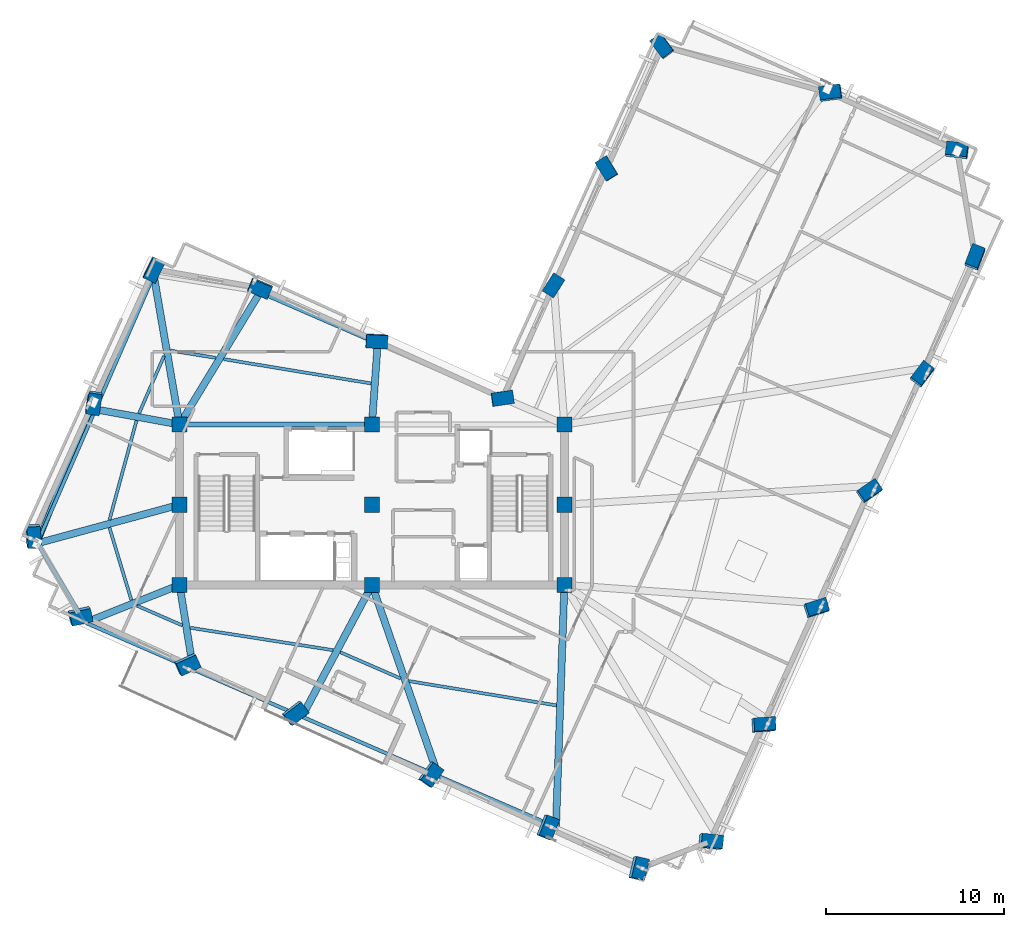
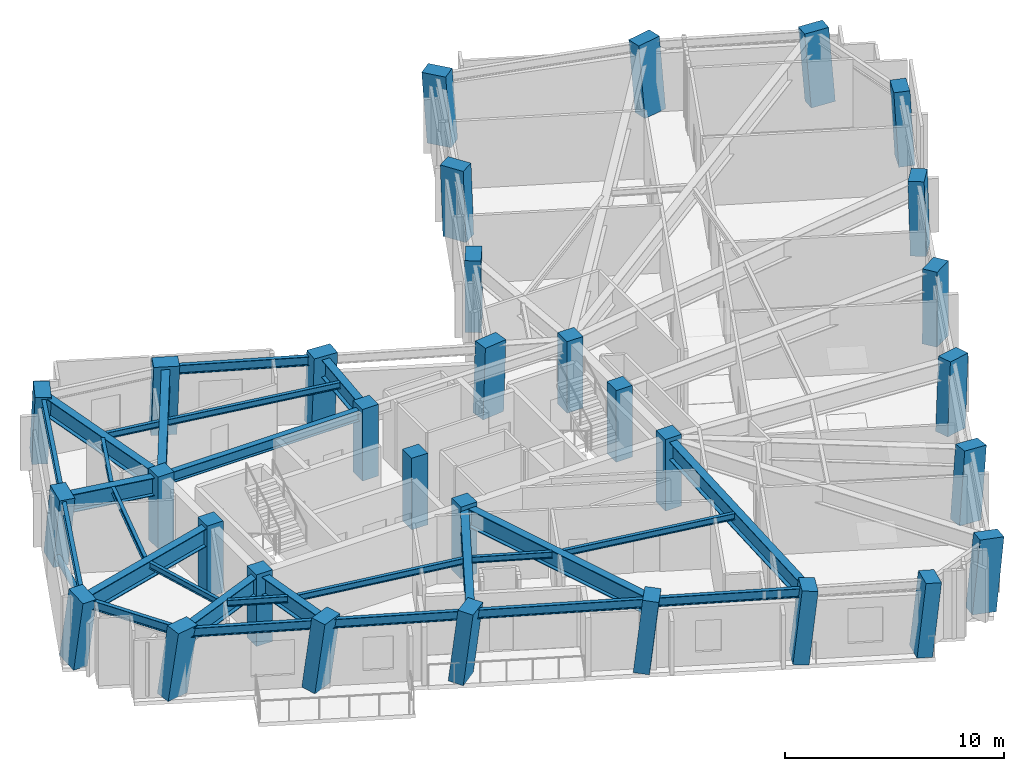
# One storey, part 1 of 13: 32 columns, 28 beams, 1 member.
"""IFC4 building model written with IfcOpenShell, lengths in metres."""

from ifc_helpers import new_model, si_unit, direction, frame, origin, origin_2d, place, context, subcontext, project, spatial, rectangle, hollow_circle, i_section, extrude, material, material_profile, profile_set, type_object, element, save


model = new_model("IFC4")

# Units and contexts
model_context = context("Model", 3, precision=1e-05, world=origin(), true_north=direction((0.0, 1.0)))
body_context = subcontext(model_context, "Body", "Model", "MODEL_VIEW")
ifc_project = project(units=[si_unit("LENGTHUNIT", "METRE"), si_unit("AREAUNIT", "SQUARE_METRE"), si_unit("VOLUMEUNIT", "CUBIC_METRE"), si_unit("PLANEANGLEUNIT", "RADIAN"), si_unit("MASSUNIT", "GRAM", prefix="KILO")], contexts=[model_context])

# Site, building, storey
site_placement = place(None, origin())
site = spatial("IfcSite", under=ifc_project, at=site_placement, CompositionType="ELEMENT")
building_placement = place(site_placement, origin())
building = spatial("IfcBuilding", under=site, at=building_placement, Name="Gaonmaruhae Medical Tower", CompositionType="ELEMENT")
storey_placement = place(building_placement, frame((0.0, 0.0, 304.60009765625)))
storey = spatial("IfcBuildingStorey", under=building, at=storey_placement, Name="L73", CompositionType="ELEMENT", Elevation=304.60009765625)

# Columns
ifc_material_1 = material(Name="Concrete C50/60", Category="concrete")
ifc_material_profile_1 = material_profile(ifc_material_1, rectangle(XDim=0.85009765625, YDim=0.85009765625, at=origin_2d()), Name="RC-850x850")
ifc_profile_set_1 = profile_set([ifc_material_profile_1], Name="Concrete C50/60")
column_type_1 = type_object("IfcColumnType", Name="CC-06 Upper Core Column (RC-850x850)", PredefinedType="COLUMN", material=ifc_profile_set_1)
for number, where, z_axis, x_axis, name in (
    (1, (14.0, 7.800048828125, 0.0), (0.0, 0.0, 1.0), (1.0, 0.0, 0.0), "L73 Plumb Core Column CC11"),
    (2, (14.0, 12.300048828125, 0.0), (0.0, 0.0, 1.0), (1.0, 0.0, 0.0), "L73 Plumb Core Column CC12"),
    (3, (14.0, 16.800048828125, 0.0), (0.0, 0.0, 1.0), (1.0, 0.0, 0.0), "L73 Plumb Core Column CC13"),
    (4, (24.800048828125, 7.800048828125, 0.0), (0.0, 0.0, 1.0), (1.0, 0.0, 0.0), "L73 Plumb Core Column CC21"),
    (5, (24.800048828125, 12.300048828125, 0.0), (0.0, 0.0, 1.0), (1.0, 0.0, 0.0), "L73 Plumb Core Column CC22"),
    (6, (24.800048828125, 16.800048828125, 0.0), (0.0, 0.0, 1.0), (1.0, 0.0, 0.0), "L73 Plumb Core Column CC23"),
    (7, (35.60009765625, 7.800048828125, 0.0), (0.0, 0.0, 1.0), (1.0, 0.0, 0.0), "L73 Plumb Core Column CC31"),
    (8, (35.60009765625, 12.300048828125, 0.0), (0.0, 0.0, 1.0), (1.0, 0.0, 0.0), "L73 Plumb Core Column CC32"),
    (9, (35.60009765625, 16.800048828125, 0.0), (0.0, 0.0, 1.0), (1.0, 0.0, 0.0), "L73 Plumb Core Column CC33"),
):
    element("IfcColumn", number, at=place(storey_placement, frame(where, z_axis=z_axis, x_axis=x_axis)), inside=storey, type_object=column_type_1, Name=name, PredefinedType="COLUMN", context=body_context, shape_type="SweptSolid", body=[
        extrude(rectangle(XDim=0.85009765625, YDim=0.85009765625, at=origin_2d()), origin(), (0.0, 0.0, 1.0), 4.0),
    ])
ifc_material_profile_2 = material_profile(ifc_material_1, rectangle(XDim=1.199951171875, YDim=0.75, at=origin_2d()), Name="RC-1200x750")
ifc_profile_set_2 = profile_set([ifc_material_profile_2], Name="Concrete C50/60")
column_type_2 = type_object("IfcColumnType", Name="TC-03 Upper Raking Tube Pier Column (RC-1200x750)", PredefinedType="COLUMN", material=ifc_profile_set_2)
column_1_placement = place(storey_placement, frame((43.755859375, -6.62109375, 0.001708984375), z_axis=(0.12867459204, 0.042788177594, 0.990763352785), x_axis=(-0.98643960901, 0.108161949653, 0.123441850375)))
element("IfcColumn", 10, at=column_1_placement, inside=storey, type_object=column_type_2, Name="L73 Perimeter Tube Column S01", PredefinedType="COLUMN", context=body_context, shape_type="SweptSolid", body=[
    extrude(rectangle(XDim=1.199951171875, YDim=0.75, at=origin_2d()), origin(), (0.0, 0.0, 1.0), 3.93701171875),
])
column_2_placement = place(storey_placement, frame((46.73583984375, -0.066650390625, 0.001708984375), z_axis=(0.101904934674, 0.05488618366, 0.993278858696), x_axis=(-0.992348292445, -0.064364960814, 0.105366115527)))
element("IfcColumn", 11, at=column_2_placement, inside=storey, type_object=column_type_2, Name="L73 Perimeter Tube Column S02", PredefinedType="COLUMN", context=body_context, shape_type="SweptSolid", body=[
    extrude(rectangle(XDim=1.199951171875, YDim=0.75, at=origin_2d()), origin(), (0.0, 0.0, 1.0), 3.94091796875),
])
column_3_placement = place(storey_placement, frame((49.7158203125, 6.487548828125, 0.001708984375), z_axis=(0.074943011084, 0.06708358713, 0.994928810231), x_axis=(-0.950891346465, -0.295672274925, 0.091561744516)))
element("IfcColumn", 12, at=column_3_placement, inside=storey, type_object=column_type_2, Name="L73 Perimeter Tube Column S03", PredefinedType="COLUMN", context=body_context, shape_type="SweptSolid", body=[
    extrude(rectangle(XDim=1.199951171875, YDim=0.75, at=origin_2d()), origin(), (0.0, 0.0, 1.0), 3.945068359375),
])
column_4_placement = place(storey_placement, frame((52.69580078125, 13.0419921875, 0.001708984375), z_axis=(0.047868145988, 0.079223636965, 0.995706912673), x_axis=(-0.823003886966, -0.561751385032, 0.084261399549)))
element("IfcColumn", 13, at=column_4_placement, inside=storey, type_object=column_type_2, Name="L73 Perimeter Tube Column S04", PredefinedType="COLUMN", context=body_context, shape_type="SweptSolid", body=[
    extrude(rectangle(XDim=1.199951171875, YDim=0.75, at=origin_2d()), origin(), (0.0, 0.0, 1.0), 3.947509765625),
])
column_5_placement = place(storey_placement, frame((55.67578125, 19.596435546875, 0.001708984375), z_axis=(0.020720058133, 0.091230106706, 0.995614256036), x_axis=(-0.604352384833, -0.792152328195, 0.085163864882)))
element("IfcColumn", 14, at=column_5_placement, inside=storey, type_object=column_type_2, Name="L73 Perimeter Tube Column S05", PredefinedType="COLUMN", context=body_context, shape_type="SweptSolid", body=[
    extrude(rectangle(XDim=1.199951171875, YDim=0.75, at=origin_2d()), origin(), (0.0, 0.0, 1.0), 3.947265625),
])
column_6_placement = place(storey_placement, frame((58.656005859375, 26.150634765625, 0.001708984375), z_axis=(-0.006437366852, 0.103245460663, 0.994635076377), x_axis=(-0.356751992892, -0.929440786486, 0.094169209322)))
element("IfcColumn", 15, at=column_6_placement, inside=storey, type_object=column_type_2, Name="L73 Perimeter Tube Column S06", PredefinedType="COLUMN", context=body_context, shape_type="SweptSolid", body=[
    extrude(rectangle(XDim=1.199951171875, YDim=0.75, at=origin_2d()), origin(), (0.0, 0.0, 1.0), 3.9443359375),
])
column_7_placement = place(storey_placement, frame((57.65087890625, 32.155029296875, 0.001708984375), z_axis=(-0.031104647589, 0.098930059692, 0.994608135995), x_axis=(0.991884646195, -0.119676409496, 0.042923253047)))
element("IfcColumn", 16, at=column_7_placement, inside=storey, type_object=column_type_2, Name="L73 Perimeter Tube Column E01", PredefinedType="COLUMN", context=body_context, shape_type="SweptSolid", body=[
    extrude(rectangle(XDim=1.199951171875, YDim=0.75, at=origin_2d()), origin(), (0.0, 0.0, 1.0), 3.955810546875),
])
column_8_placement = place(storey_placement, frame((50.55029296875, 35.38330078125, 0.001708984375), z_axis=(-0.044259952808, 0.069657028792, 0.996588658834), x_axis=(0.989554992993, 0.140050346374, 0.034158693237)))
element("IfcColumn", 17, at=column_8_placement, inside=storey, type_object=column_type_2, Name="L73 Perimeter Tube Column E02", PredefinedType="COLUMN", context=body_context, shape_type="SweptSolid", body=[
    extrude(rectangle(XDim=1.199951171875, YDim=0.75, at=origin_2d()), origin(), (0.0, 0.0, 1.0), 3.96044921875),
])
column_9_placement = place(storey_placement, frame((41.099365234375, 38.03271484375, 0.001708984375), z_axis=(-0.055000119762, 0.030583026236, 0.998017868243), x_axis=(0.59287515224, -0.803254115169, 0.05728769782)))
element("IfcColumn", 18, at=column_9_placement, inside=storey, type_object=column_type_2, Name="L73 Perimeter Tube Column E03", PredefinedType="COLUMN", context=body_context, shape_type="SweptSolid", body=[
    extrude(rectangle(XDim=1.199951171875, YDim=0.75, at=origin_2d()), origin(), (0.0, 0.0, 1.0), 3.95947265625),
])
column_10_placement = place(storey_placement, frame((37.974609375, 31.15966796875, 0.001708984375), z_axis=(-0.026531794575, 0.017933527814, 0.999487094692), x_axis=(0.522025712145, -0.852431403283, 0.029152333625)))
element("IfcColumn", 19, at=column_10_placement, inside=storey, type_object=column_type_2, Name="L73 Perimeter Tube Column EN01", PredefinedType="COLUMN", context=body_context, shape_type="SweptSolid", body=[
    extrude(rectangle(XDim=1.199951171875, YDim=0.75, at=origin_2d()), origin(), (0.0, 0.0, 1.0), 3.97509765625),
])
column_11_placement = place(storey_placement, frame((34.994384765625, 24.60546875, 0.001708984375), z_axis=(0.000795093642, 0.005749138642, 0.999983157474), x_axis=(-0.534703352063, -0.84502331988, 0.005283384443)))
element("IfcColumn", 20, at=column_11_placement, inside=storey, type_object=column_type_2, Name="L73 Perimeter Tube Column EN02", PredefinedType="COLUMN", context=body_context, shape_type="SweptSolid", body=[
    extrude(rectangle(XDim=1.199951171875, YDim=0.75, at=origin_2d()), origin(), (0.0, 0.0, 1.0), 3.99169921875),
])
column_12_placement = place(storey_placement, frame((32.117919921875, 18.278564453125, 0.001708984375), z_axis=(0.027064759156, -0.005891648252, 0.999616320041), x_axis=(-0.989252590347, -0.143898000097, 0.02593603784)))
element("IfcColumn", 21, at=column_12_placement, inside=storey, type_object=column_type_2, Name="L73 Perimeter Tube Column KN01", PredefinedType="COLUMN", context=body_context, shape_type="SweptSolid", body=[
    extrude(rectangle(XDim=1.199951171875, YDim=0.75, at=origin_2d()), origin(), (0.0, 0.0, 1.0), 3.97802734375),
])
column_13_placement = place(storey_placement, frame((25.06298828125, 21.486328125, 0.001708984375), z_axis=(0.013999139803, -0.035243448451, 0.999280703019), x_axis=(-0.998707797751, 0.048336056889, 0.015695869403)))
element("IfcColumn", 22, at=column_13_placement, inside=storey, type_object=column_type_2, Name="L73 Perimeter Tube Column NE01", PredefinedType="COLUMN", context=body_context, shape_type="SweptSolid", body=[
    extrude(rectangle(XDim=1.199951171875, YDim=0.75, at=origin_2d()), origin(), (0.0, 0.0, 1.0), 3.976318359375),
])
column_14_placement = place(storey_placement, frame((18.508544921875, 24.46630859375, 0.001708984375), z_axis=(0.001907962149, -0.062408826429, 0.99804884553), x_axis=(-0.92252082505, 0.385081115761, 0.025843019053)))
element("IfcColumn", 23, at=column_14_placement, inside=storey, type_object=column_type_2, Name="L73 Perimeter Tube Column NE02", PredefinedType="COLUMN", context=body_context, shape_type="SweptSolid", body=[
    extrude(rectangle(XDim=1.199951171875, YDim=0.75, at=origin_2d()), origin(), (0.0, 0.0, 1.0), 3.966796875),
])
column_15_placement = place(storey_placement, frame((12.562255859375, 25.52197265625, 0.001708984375), z_axis=(-0.002225221518, -0.086845450907, 0.996219311219), x_axis=(0.436992381583, 0.895981854379, 0.079083342504)))
element("IfcColumn", 24, at=column_15_placement, inside=storey, type_object=column_type_2, Name="L73 Perimeter Tube Column N01", PredefinedType="COLUMN", context=body_context, shape_type="SweptSolid", body=[
    extrude(rectangle(XDim=1.199951171875, YDim=0.75, at=origin_2d()), origin(), (0.0, 0.0, 1.0), 3.94970703125),
])
column_16_placement = place(storey_placement, frame((9.16845703125, 18.057373046875, 0.001708984375), z_axis=(0.028599058386, -0.100468120695, 0.994529160248), x_axis=(0.150218370029, 0.984069108153, 0.095091701455)))
element("IfcColumn", 25, at=column_16_placement, inside=storey, type_object=column_type_2, Name="L73 Perimeter Tube Column N02", PredefinedType="COLUMN", context=body_context, shape_type="SweptSolid", body=[
    extrude(rectangle(XDim=1.199951171875, YDim=0.75, at=origin_2d()), origin(), (0.0, 0.0, 1.0), 3.94384765625),
])
column_17_placement = place(storey_placement, frame((5.7744140625, 10.5927734375, 0.001708984375), z_axis=(0.059390217496, -0.113882911838, 0.991717441844), x_axis=(-0.050455615166, 0.991858746318, 0.116920734907)))
element("IfcColumn", 26, at=column_17_placement, inside=storey, type_object=column_type_2, Name="L73 Perimeter Tube Column N03", PredefinedType="COLUMN", context=body_context, shape_type="SweptSolid", body=[
    extrude(rectangle(XDim=1.199951171875, YDim=0.75, at=origin_2d()), origin(), (0.0, 0.0, 1.0), 3.938232421875),
])
column_18_placement = place(storey_placement, frame((8.401611328125, 6.102783203125, 0.001708984375), z_axis=(0.077762435781, -0.102962653255, 0.99164091062), x_axis=(-0.973786323253, -0.221106616924, 0.053404687048)))
element("IfcColumn", 27, at=column_18_placement, inside=storey, type_object=column_type_2, Name="L73 Perimeter Tube Column W01", PredefinedType="COLUMN", context=body_context, shape_type="SweptSolid", body=[
    extrude(rectangle(XDim=1.199951171875, YDim=0.75, at=origin_2d()), origin(), (0.0, 0.0, 1.0), 3.95263671875),
])
column_19_placement = place(storey_placement, frame((14.409912109375, 3.37109375, 0.001708984375), z_axis=(0.088860188702, -0.078300708321, 0.992961663882), x_axis=(-0.910187911133, -0.411284505845, 0.049020625044)))
element("IfcColumn", 28, at=column_19_placement, inside=storey, type_object=column_type_2, Name="L73 Perimeter Tube Column W02", PredefinedType="COLUMN", context=body_context, shape_type="SweptSolid", body=[
    extrude(rectangle(XDim=1.199951171875, YDim=0.75, at=origin_2d()), origin(), (0.0, 0.0, 1.0), 3.95361328125),
])
column_20_placement = place(storey_placement, frame((20.463623046875, 0.61865234375, 0.001708984375), z_axis=(0.100016423417, -0.053280353956, 0.993558211143), x_axis=(-0.790946445889, -0.61008500416, 0.046904236858)))
element("IfcColumn", 29, at=column_20_placement, inside=storey, type_object=column_type_2, Name="L73 Perimeter Tube Column W03", PredefinedType="COLUMN", context=body_context, shape_type="SweptSolid", body=[
    extrude(rectangle(XDim=1.199951171875, YDim=0.75, at=origin_2d()), origin(), (0.0, 0.0, 1.0), 3.954345703125),
])
column_21_placement = place(storey_placement, frame((28.064697265625, -2.83740234375, 0.001708984375), z_axis=(0.113982668449, -0.021857998175, 0.993242256053), x_axis=(-0.575190321615, -0.816607951775, 0.048036933904)))
element("IfcColumn", 30, at=column_21_placement, inside=storey, type_object=column_type_2, Name="L73 Perimeter Tube Column W04", PredefinedType="COLUMN", context=body_context, shape_type="SweptSolid", body=[
    extrude(rectangle(XDim=1.199951171875, YDim=0.75, at=origin_2d()), origin(), (0.0, 0.0, 1.0), 3.953857421875),
])
column_22_placement = place(storey_placement, frame((34.619140625, -5.8173828125, 0.001708984375), z_axis=(0.125872390563, 0.005249829832, 0.992032550162), x_axis=(-0.372310254386, -0.926642381877, 0.052143749278)))
element("IfcColumn", 31, at=column_22_placement, inside=storey, type_object=column_type_2, Name="L73 Perimeter Tube Column W05", PredefinedType="COLUMN", context=body_context, shape_type="SweptSolid", body=[
    extrude(rectangle(XDim=1.199951171875, YDim=0.75, at=origin_2d()), origin(), (0.0, 0.0, 1.0), 3.952880859375),
])
column_23_placement = place(storey_placement, frame((39.716796875, -8.13525390625, 0.001708984375), z_axis=(0.135039064448, 0.026254163948, 0.990492387628), x_axis=(-0.228697571744, -0.971830933371, 0.056939069385)))
element("IfcColumn", 32, at=column_23_placement, inside=storey, type_object=column_type_2, Name="L73 Perimeter Tube Column W06", PredefinedType="COLUMN", context=body_context, shape_type="SweptSolid", body=[
    extrude(rectangle(XDim=1.199951171875, YDim=0.75, at=origin_2d()), origin(), (0.0, 0.0, 1.0), 3.9521484375),
])

# Beams
ifc_material_2 = material(Name="Steel SM420", Category="steel")
ifc_material_profile_3 = material_profile(ifc_material_2, i_section(OverallWidth=0.39990234375, OverallDepth=1.0, WebThickness=0.02197265625, FlangeThickness=0.035888671875, at=origin_2d()), Name="BH-1000x400x22x36")
ifc_profile_set_3 = profile_set([ifc_material_profile_3], Name="Steel SM420")
beam_type_1 = type_object("IfcBeamType", Name="BG-02 Refuge Floor Primary Girder (BH-1000x400x22x36)", PredefinedType="BEAM", material=ifc_profile_set_3)
beam_1_placement = place(storey_placement, frame((24.803466796875, 16.849853515625, 3.27978515625), z_axis=(0.070012845455, 0.997546089898, 0.0), x_axis=(-0.997546089898, 0.070012845455, 0.0)))
element("IfcBeam", 33, at=beam_1_placement, inside=storey, type_object=beam_type_1, Name="L73 Radial Primary Girder NE01", PredefinedType="BEAM", context=body_context, shape_type="SweptSolid", body=[
    extrude(i_section(OverallWidth=0.39990234375, OverallDepth=1.0, WebThickness=0.02197265625, FlangeThickness=0.035888671875, at=origin_2d()), origin(), (0.0, 0.0, 1.0), 4.45654296875),
])
beam_2_placement = place(storey_placement, frame((14.026123046875, 16.8427734375, 3.27978515625), z_axis=(0.520106658264, 0.854101319534, 0.0), x_axis=(-0.854101319534, 0.520106658264, 0.0)))
element("IfcBeam", 34, at=beam_2_placement, inside=storey, type_object=beam_type_1, Name="L73 Radial Primary Girder NE02", PredefinedType="BEAM", context=body_context, shape_type="SweptSolid", body=[
    extrude(i_section(OverallWidth=0.39990234375, OverallDepth=1.0, WebThickness=0.02197265625, FlangeThickness=0.035888671875, at=origin_2d()), origin(), (0.0, 0.0, 1.0), 8.5830078125),
])
beam_3_placement = place(storey_placement, frame((13.991455078125, 16.849365234375, 3.27978515625), z_axis=(-0.170256429826, 0.985399791, 0.0), x_axis=(-0.985399791, -0.170256429826, 0.0)))
element("IfcBeam", 35, at=beam_3_placement, inside=storey, type_object=beam_type_1, Name="L73 Radial Primary Girder N01", PredefinedType="BEAM", context=body_context, shape_type="SweptSolid", body=[
    extrude(i_section(OverallWidth=0.39990234375, OverallDepth=1.0, WebThickness=0.02197265625, FlangeThickness=0.035888671875, at=origin_2d()), origin(), (0.0, 0.0, 1.0), 8.397216796875),
])
beam_4_placement = place(storey_placement, frame((13.95068359375, 16.808837890625, 3.27978515625), z_axis=(-0.984016905829, 0.17807506575, 0.0), x_axis=(-0.17807506575, -0.984016905829, 0.0)))
element("IfcBeam", 36, at=beam_4_placement, inside=storey, type_object=beam_type_1, Name="L73 Radial Primary Girder N02", PredefinedType="BEAM", context=body_context, shape_type="SweptSolid", body=[
    extrude(i_section(OverallWidth=0.39990234375, OverallDepth=1.0, WebThickness=0.02197265625, FlangeThickness=0.035888671875, at=origin_2d()), origin(), (0.0, 0.0, 1.0), 4.69287109375),
])
beam_5_placement = place(storey_placement, frame((13.95166015625, 12.286865234375, 3.27978515625), z_axis=(-0.965122679795, -0.261798038467, 0.0), x_axis=(0.261798038467, -0.965122679795, 0.0)))
element("IfcBeam", 37, at=beam_5_placement, inside=storey, type_object=beam_type_1, Name="L73 Radial Primary Girder N03", PredefinedType="BEAM", context=body_context, shape_type="SweptSolid", body=[
    extrude(i_section(OverallWidth=0.39990234375, OverallDepth=1.0, WebThickness=0.02197265625, FlangeThickness=0.035888671875, at=origin_2d()), origin(), (0.0, 0.0, 1.0), 8.1748046875),
])
beam_6_placement = place(storey_placement, frame((13.95361328125, 7.781494140625, 3.27978515625), z_axis=(-0.928579037594, -0.371134707272, 0.0), x_axis=(0.371134707272, -0.928579037594, 0.0)))
element("IfcBeam", 38, at=beam_6_placement, inside=storey, type_object=beam_type_1, Name="L73 Radial Primary Girder W01", PredefinedType="BEAM", context=body_context, shape_type="SweptSolid", body=[
    extrude(i_section(OverallWidth=0.39990234375, OverallDepth=1.0, WebThickness=0.02197265625, FlangeThickness=0.035888671875, at=origin_2d()), origin(), (0.0, 0.0, 1.0), 5.591552734375),
])
beam_7_placement = place(storey_placement, frame((14.008056640625, 7.750732421875, 3.27978515625), z_axis=(0.159685869984, -0.987167879809, 0.0), x_axis=(0.987167879809, 0.159685869984, 0.0)))
element("IfcBeam", 39, at=beam_7_placement, inside=storey, type_object=beam_type_1, Name="L73 Radial Primary Girder W02", PredefinedType="BEAM", context=body_context, shape_type="SweptSolid", body=[
    extrude(i_section(OverallWidth=0.39990234375, OverallDepth=1.0, WebThickness=0.02197265625, FlangeThickness=0.035888671875, at=origin_2d()), origin(), (0.0, 0.0, 1.0), 4.705810546875),
])
beam_8_placement = place(storey_placement, frame((24.776611328125, 7.755859375, 3.260009765625), z_axis=(-0.469618843189, -0.882869266722, 0.0), x_axis=(0.882869266722, -0.469618843189, 0.0)))
element("IfcBeam", 40, at=beam_8_placement, inside=storey, type_object=beam_type_1, Name="L73 Radial Primary Girder W03", PredefinedType="BEAM", context=body_context, shape_type="SweptSolid", body=[
    extrude(i_section(OverallWidth=0.39990234375, OverallDepth=1.0, WebThickness=0.02197265625, FlangeThickness=0.035888671875, at=origin_2d()), origin(), (0.0, 0.0, 1.0), 8.27685546875),
])
beam_9_placement = place(storey_placement, frame((24.81640625, 7.752685546875, 3.27978515625), z_axis=(0.327964362011, -0.944690095878, 0.0), x_axis=(0.944690095878, 0.327964362011, 0.0)))
element("IfcBeam", 41, at=beam_9_placement, inside=storey, type_object=beam_type_1, Name="L73 Radial Primary Girder W04", PredefinedType="BEAM", context=body_context, shape_type="SweptSolid", body=[
    extrude(i_section(OverallWidth=0.39990234375, OverallDepth=1.0, WebThickness=0.02197265625, FlangeThickness=0.035888671875, at=origin_2d()), origin(), (0.0, 0.0, 1.0), 11.253173828125),
])
beam_10_placement = place(storey_placement, frame((35.59814453125, 7.75, 3.27978515625), z_axis=(-0.034800997703, -0.99939426182, 0.0), x_axis=(0.99939426182, -0.034800997703, 0.0)))
element("IfcBeam", 42, at=beam_10_placement, inside=storey, type_object=beam_type_1, Name="L73 Radial Primary Girder W05", PredefinedType="BEAM", context=body_context, shape_type="SweptSolid", body=[
    extrude(i_section(OverallWidth=0.39990234375, OverallDepth=1.0, WebThickness=0.02197265625, FlangeThickness=0.035888671875, at=origin_2d()), origin(), (0.0, 0.0, 1.0), 13.504638671875),
])
ifc_material_3 = material(Name="Steel SM355", Category="steel")
ifc_material_profile_4 = material_profile(ifc_material_3, i_section(OverallWidth=0.175048828125, OverallDepth=0.35009765625, WebThickness=0.007080078125, FlangeThickness=0.010986328125, FilletRadius=0.012939453125, at=origin_2d()), Name="H-350x175x7x11")
ifc_profile_set_4 = profile_set([ifc_material_profile_4], Name="Steel SM355")
beam_type_2 = type_object("IfcBeamType", Name="FJ-02 Upper Zone Ward Floor Joist (H-350x175x7x11)", PredefinedType="JOIST", material=ifc_profile_set_4)
beam_11_placement = place(storey_placement, frame((24.75537109375, 19.106201171875, 3.60498046875), z_axis=(-0.986663894193, 0.162770881598, 0.0), x_axis=(-0.162770881598, -0.986663894193, 0.0)))
element("IfcBeam", 43, at=beam_11_placement, inside=storey, type_object=beam_type_2, Name="L73 Secondary Floor Joist FJ10", PredefinedType="JOIST", context=body_context, shape_type="SweptSolid", body=[
    extrude(i_section(OverallWidth=0.175048828125, OverallDepth=0.35009765625, WebThickness=0.007080078125, FlangeThickness=0.010986328125, FilletRadius=0.012939453125, at=origin_2d()), origin(), (0.0, 0.0, 1.0), 8.390380859375),
])
beam_12_placement = place(storey_placement, frame((16.038818359375, 20.543212890625, 3.60498046875), z_axis=(-0.987360795074, 0.158488675779, 0.0), x_axis=(-0.158488675779, -0.987360795074, 0.0)))
element("IfcBeam", 44, at=beam_12_placement, inside=storey, type_object=beam_type_2, Name="L73 Secondary Floor Joist FJ11", PredefinedType="JOIST", context=body_context, shape_type="SweptSolid", body=[
    extrude(i_section(OverallWidth=0.175048828125, OverallDepth=0.35009765625, WebThickness=0.007080078125, FlangeThickness=0.010986328125, FilletRadius=0.012939453125, at=origin_2d()), origin(), (0.0, 0.0, 1.0), 2.580322265625),
])
beam_13_placement = place(storey_placement, frame((13.12890625, 20.64697265625, 3.60498046875), z_axis=(-0.398746411425, -0.917061229895, 0.0), x_axis=(0.917061229895, -0.398746411425, 0.0)))
element("IfcBeam", 45, at=beam_13_placement, inside=storey, type_object=beam_type_2, Name="L73 Secondary Floor Joist FJ12", PredefinedType="JOIST", context=body_context, shape_type="SweptSolid", body=[
    extrude(i_section(OverallWidth=0.175048828125, OverallDepth=0.35009765625, WebThickness=0.007080078125, FlangeThickness=0.010986328125, FilletRadius=0.012939453125, at=origin_2d()), origin(), (0.0, 0.0, 1.0), 3.51806640625),
])
beam_14_placement = place(storey_placement, frame((11.58740234375, 17.027099609375, 3.60498046875), z_axis=(-0.262477989376, -0.964937979921, 0.0), x_axis=(0.964937979921, -0.262477989376, 0.0)))
element("IfcBeam", 46, at=beam_14_placement, inside=storey, type_object=beam_type_2, Name="L73 Secondary Floor Joist FJ13", PredefinedType="JOIST", context=body_context, shape_type="SweptSolid", body=[
    extrude(i_section(OverallWidth=0.175048828125, OverallDepth=0.35009765625, WebThickness=0.007080078125, FlangeThickness=0.010986328125, FilletRadius=0.012939453125, at=origin_2d()), origin(), (0.0, 0.0, 1.0), 5.78369140625),
])
beam_15_placement = place(storey_placement, frame((10.06640625, 11.01953125, 3.60498046875), z_axis=(0.289103701868, -0.957297785209, 0.0), x_axis=(0.957297785209, 0.289103701868, 0.0)))
element("IfcBeam", 47, at=beam_15_placement, inside=storey, type_object=beam_type_2, Name="L73 Secondary Floor Joist FJ14", PredefinedType="JOIST", context=body_context, shape_type="SweptSolid", body=[
    extrude(i_section(OverallWidth=0.175048828125, OverallDepth=0.35009765625, WebThickness=0.007080078125, FlangeThickness=0.010986328125, FilletRadius=0.012939453125, at=origin_2d()), origin(), (0.0, 0.0, 1.0), 4.259521484375),
])
beam_16_placement = place(storey_placement, frame((11.62109375, 6.629150390625, 3.60498046875), z_axis=(0.917075663277, -0.398713215012, 0.0), x_axis=(0.398713215012, 0.917075663277, 0.0)))
element("IfcBeam", 48, at=beam_16_placement, inside=storey, type_object=beam_type_2, Name="L73 Secondary Floor Joist FJ15", PredefinedType="JOIST", context=body_context, shape_type="SweptSolid", body=[
    extrude(i_section(OverallWidth=0.175048828125, OverallDepth=0.35009765625, WebThickness=0.007080078125, FlangeThickness=0.010986328125, FilletRadius=0.012939453125, at=origin_2d()), origin(), (0.0, 0.0, 1.0), 2.768798828125),
])
beam_17_placement = place(storey_placement, frame((14.59765625, 5.39453125, 3.60498046875), z_axis=(0.9879068852, -0.15504833496, 0.0), x_axis=(0.15504833496, 0.9879068852, 0.0)))
element("IfcBeam", 49, at=beam_17_placement, inside=storey, type_object=beam_type_2, Name="L73 Secondary Floor Joist FJ16", PredefinedType="JOIST", context=body_context, shape_type="SweptSolid", body=[
    extrude(i_section(OverallWidth=0.175048828125, OverallDepth=0.35009765625, WebThickness=0.007080078125, FlangeThickness=0.010986328125, FilletRadius=0.012939453125, at=origin_2d()), origin(), (0.0, 0.0, 1.0), 8.11865234375),
])
beam_18_placement = place(storey_placement, frame((23.0224609375, 4.019775390625, 3.60498046875), z_axis=(0.91705533197, -0.398759975555, 0.0), x_axis=(0.398759975555, 0.91705533197, 0.0)))
element("IfcBeam", 50, at=beam_18_placement, inside=storey, type_object=beam_type_2, Name="L73 Secondary Floor Joist FJ17", PredefinedType="JOIST", context=body_context, shape_type="SweptSolid", body=[
    extrude(i_section(OverallWidth=0.175048828125, OverallDepth=0.35009765625, WebThickness=0.007080078125, FlangeThickness=0.010986328125, FilletRadius=0.012939453125, at=origin_2d()), origin(), (0.0, 0.0, 1.0), 3.690673828125),
])
beam_19_placement = place(storey_placement, frame((26.892333984375, 2.3994140625, 3.60498046875), z_axis=(0.986661186603, -0.162787293274, 0.0), x_axis=(0.162787293274, 0.986661186603, 0.0)))
element("IfcBeam", 51, at=beam_19_placement, inside=storey, type_object=beam_type_2, Name="L73 Secondary Floor Joist FJ18", PredefinedType="JOIST", context=body_context, shape_type="SweptSolid", body=[
    extrude(i_section(OverallWidth=0.175048828125, OverallDepth=0.35009765625, WebThickness=0.007080078125, FlangeThickness=0.010986328125, FilletRadius=0.012939453125, at=origin_2d()), origin(), (0.0, 0.0, 1.0), 8.377685546875),
])

# Member
ifc_material_profile_5 = material_profile(ifc_material_3, hollow_circle(Radius=0.1591796875, WallThickness=0.01025390625, at=origin_2d()), Name="CHS-318.5x10.3")
ifc_profile_set_5 = profile_set([ifc_material_profile_5], Name="Steel SM355")
member_type = type_object("IfcMemberType", Name="PB-03 Perimeter Solid-Bay Tube Brace Upper (CHS-318.5x10.3)", PredefinedType="BRACE", material=ifc_profile_set_5)
member_placement = place(storey_placement, frame((9.16845703125, 18.0576171875, 0.25), z_axis=(-0.345243125172, -0.867168868108, 0.358922468933), x_axis=(0.929075612728, -0.369889856354, 0.0)))
element("IfcMember", 52, at=member_placement, inside=storey, type_object=member_type, Name="L73 Perimeter Tube Solid-Bay Brace N02-N03", PredefinedType="BRACE", context=body_context, shape_type="SweptSolid", body=[
    extrude(hollow_circle(Radius=0.1591796875, WallThickness=0.01025390625, at=origin_2d()), origin(), (0.0, 0.0, 1.0), 9.137939453125),
])

# Beams
ifc_material_profile_6 = material_profile(ifc_material_2, i_section(OverallWidth=0.300048828125, OverallDepth=0.60009765625, WebThickness=0.011962890625, FlangeThickness=0.02001953125, FilletRadius=0.012939453125, at=origin_2d()), Name="H-600x300x12x20")
ifc_profile_set_6 = profile_set([ifc_material_profile_6], Name="Steel SM420")
beam_type_3 = type_object("IfcBeamType", Name="PG-04 Zone 4 Radial Floor Girder (H-600x300x12x20)", PredefinedType="BEAM", material=ifc_profile_set_6)
beam_20_placement = place(storey_placement, frame((14.050048828125, 16.800048828125, 3.47998046875), z_axis=(1.0, 0.0, 0.0), x_axis=(0.0, 1.0, 0.0)))
element("IfcBeam", 53, at=beam_20_placement, inside=storey, type_object=beam_type_3, Name="L73 Beam BM-L73-CG-N1", PredefinedType="BEAM", context=body_context, shape_type="SweptSolid", body=[
    extrude(i_section(OverallWidth=0.300048828125, OverallDepth=0.60009765625, WebThickness=0.011962890625, FlangeThickness=0.02001953125, FilletRadius=0.012939453125, at=origin_2d()), origin(), (0.0, 0.0, 1.0), 10.699951171875),
])
ifc_material_profile_7 = material_profile(ifc_material_3, i_section(OverallWidth=0.199951171875, OverallDepth=0.5, WebThickness=0.010009765625, FlangeThickness=0.01611328125, FilletRadius=0.012939453125, at=origin_2d()), Name="H-500x200x10x16")
ifc_profile_set_7 = profile_set([ifc_material_profile_7], Name="Steel SM355")
beam_type_4 = type_object("IfcBeamType", Name="SP-02 Upper Perimeter Spandrel Beam (H-500x200x10x16)", PredefinedType="SPANDREL", material=ifc_profile_set_7)
beam_21_placement = place(storey_placement, frame((25.082275390625, 21.361083984375, 3.52978515625), z_axis=(-0.917055336493, 0.398759965154, 0.0), x_axis=(-0.398759965154, -0.917055336493, 0.0)))
element("IfcBeam", 54, at=beam_21_placement, inside=storey, type_object=beam_type_4, Name="L73 Perimeter Spandrel Beam NE01-NE02", PredefinedType="SPANDREL", context=body_context, shape_type="SweptSolid", body=[
    extrude(i_section(OverallWidth=0.199951171875, OverallDepth=0.5, WebThickness=0.010009765625, FlangeThickness=0.01611328125, FilletRadius=0.012939453125, at=origin_2d()), origin(), (0.0, 0.0, 1.0), 7.119873046875),
])
for number, where, z_axis, x_axis, name in (
    (55, (12.537353515625, 25.13671875, 3.52978515625), (-0.398743701995, -0.917062407974, 0.0), (0.917062407974, -0.398743701995, 0.0), "L73 Perimeter Spandrel Beam N01-N02"),
    (56, (9.267578125, 17.61669921875, 3.52978515625), (-0.398743701995, -0.917062407974, 0.0), (0.917062407974, -0.398743701995, 0.0), "L73 Perimeter Spandrel Beam N02-N03"),
):
    element("IfcBeam", number, at=place(storey_placement, frame(where, z_axis=z_axis, x_axis=x_axis)), inside=storey, type_object=beam_type_4, Name=name, PredefinedType="SPANDREL", context=body_context, shape_type="SweptSolid", body=[
        extrude(i_section(OverallWidth=0.199951171875, OverallDepth=0.5, WebThickness=0.010009765625, FlangeThickness=0.01611328125, FilletRadius=0.012939453125, at=origin_2d()), origin(), (0.0, 0.0, 1.0), 8.119873046875),
    ])
beam_22_placement = place(storey_placement, frame((6.034423828125, 10.099365234375, 3.52978515625), z_axis=(0.519289042516, -0.854598672081, 0.0), x_axis=(0.854598672081, 0.519289042516, 0.0)))
element("IfcBeam", 57, at=beam_22_placement, inside=storey, type_object=beam_type_4, Name="L73 Perimeter Spandrel Beam N03-W01", PredefinedType="SPANDREL", context=body_context, shape_type="SweptSolid", body=[
    extrude(i_section(OverallWidth=0.199951171875, OverallDepth=0.5, WebThickness=0.010009765625, FlangeThickness=0.01611328125, FilletRadius=0.012939453125, at=origin_2d()), origin(), (0.0, 0.0, 1.0), 5.122314453125),
])
beam_23_placement = place(storey_placement, frame((8.751708984375, 5.671630859375, 3.52978515625), z_axis=(0.917059935749, -0.398749387767, 0.0), x_axis=(0.398749387767, 0.917059935749, 0.0)))
element("IfcBeam", 58, at=beam_23_placement, inside=storey, type_object=beam_type_4, Name="L73 Perimeter Spandrel Beam W01-W02", PredefinedType="SPANDREL", context=body_context, shape_type="SweptSolid", body=[
    extrude(i_section(OverallWidth=0.199951171875, OverallDepth=0.5, WebThickness=0.010009765625, FlangeThickness=0.01611328125, FilletRadius=0.012939453125, at=origin_2d()), origin(), (0.0, 0.0, 1.0), 6.52001953125),
])
beam_24_placement = place(storey_placement, frame((14.80419921875, 3.0400390625, 3.510009765625), z_axis=(0.917056468028, -0.398757362876, 0.0), x_axis=(0.398757362876, 0.917056468028, 0.0)))
element("IfcBeam", 59, at=beam_24_placement, inside=storey, type_object=beam_type_4, Name="L73 Perimeter Spandrel Beam W02-W03", PredefinedType="SPANDREL", context=body_context, shape_type="SweptSolid", body=[
    extrude(i_section(OverallWidth=0.199951171875, OverallDepth=0.5, WebThickness=0.010009765625, FlangeThickness=0.01611328125, FilletRadius=0.012939453125, at=origin_2d()), origin(), (0.0, 0.0, 1.0), 6.570068359375),
])
beam_25_placement = place(storey_placement, frame((20.90283203125, 0.388427734375, 3.510009765625), z_axis=(0.917049404199, -0.398773607775, 0.0), x_axis=(0.398773607775, 0.917049404199, 0.0)))
element("IfcBeam", 60, at=beam_25_placement, inside=storey, type_object=beam_type_4, Name="L73 Perimeter Spandrel Beam W03-W04", PredefinedType="SPANDREL", context=body_context, shape_type="SweptSolid", body=[
    extrude(i_section(OverallWidth=0.199951171875, OverallDepth=0.5, WebThickness=0.010009765625, FlangeThickness=0.01611328125, FilletRadius=0.012939453125, at=origin_2d()), origin(), (0.0, 0.0, 1.0), 8.27001953125),
])
beam_26_placement = place(storey_placement, frame((28.560302734375, -2.941162109375, 3.52978515625), z_axis=(0.917055336493, -0.398759965154, 0.0), x_axis=(0.398759965154, 0.917055336493, 0.0)))
element("IfcBeam", 61, at=beam_26_placement, inside=storey, type_object=beam_type_4, Name="L73 Perimeter Spandrel Beam W04-W05", PredefinedType="SPANDREL", context=body_context, shape_type="SweptSolid", body=[
    extrude(i_section(OverallWidth=0.199951171875, OverallDepth=0.5, WebThickness=0.010009765625, FlangeThickness=0.01611328125, FilletRadius=0.012939453125, at=origin_2d()), origin(), (0.0, 0.0, 1.0), 7.119873046875),
])

save(model, "model.ifc")
